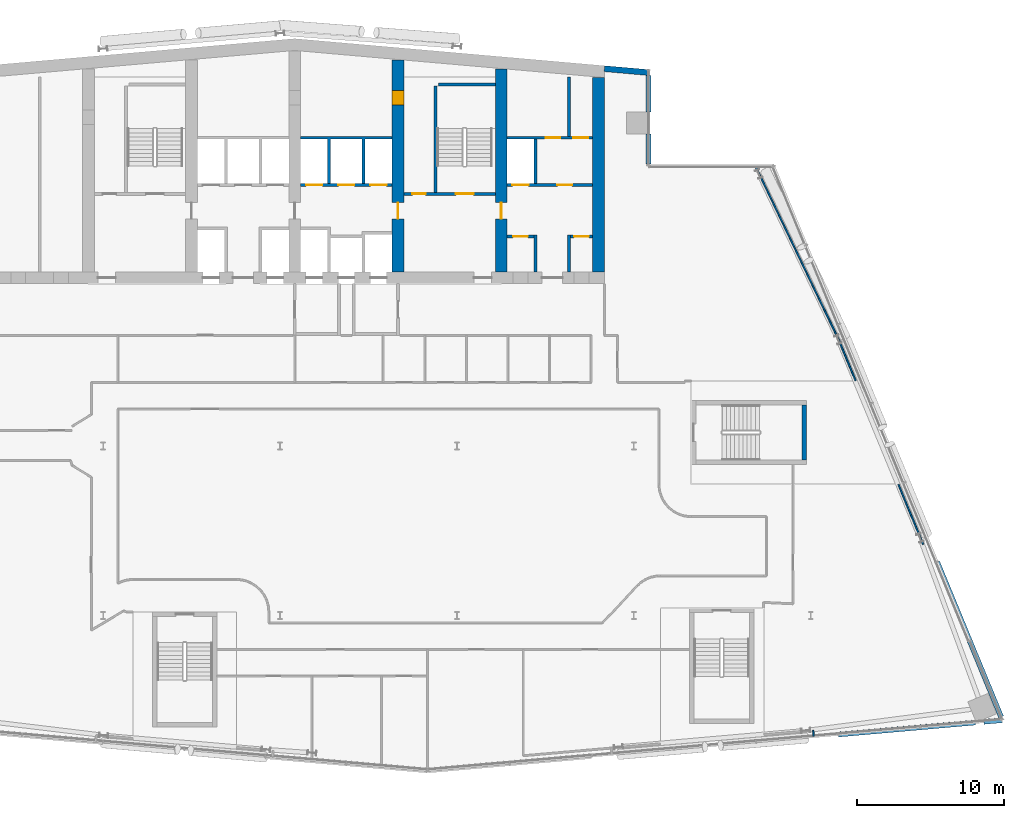
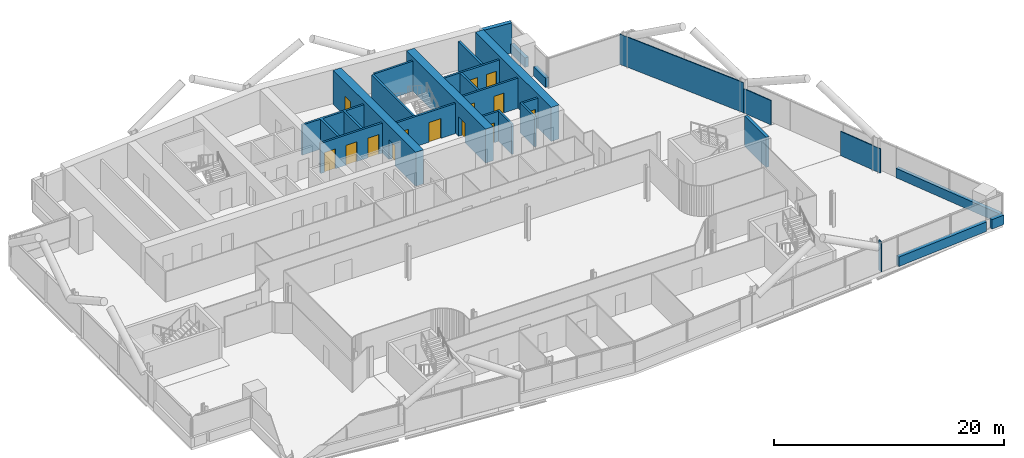
# One storey, part 21 of 29: 27 walls, 14 doors, 14 openings.
"""IFC4 building model written with IfcOpenShell, lengths in metres."""

from ifc_helpers import new_model, si_unit, direction, frame, frame_2d, origin, place, context, subcontext, project, spatial, polyline, rectangle, outline, extrude, material, layer, layer_set, type_object, element, fill, save


model = new_model("IFC4")

# Units and contexts
model_context = context("Model", 3, precision=1e-05, world=origin(), true_north=direction((0.0, 1.0)))
body_context = subcontext(model_context, "Body", "Model", "MODEL_VIEW")
ifc_project = project(units=[si_unit("LENGTHUNIT", "METRE"), si_unit("AREAUNIT", "SQUARE_METRE"), si_unit("VOLUMEUNIT", "CUBIC_METRE"), si_unit("PLANEANGLEUNIT", "RADIAN"), si_unit("MASSUNIT", "GRAM", prefix="KILO")], contexts=[model_context])

# Site, building, storey
site_placement = place(None, origin())
site = spatial("IfcSite", under=ifc_project, at=site_placement, CompositionType="ELEMENT")
building_placement = place(site_placement, origin())
building = spatial("IfcBuilding", under=site, at=building_placement, Name="Wharfspan Tower", CompositionType="ELEMENT")
storey_placement = place(building_placement, frame((0.0, 0.0, 162.699951)))
storey = spatial("IfcBuildingStorey", under=building, at=storey_placement, Name="L39", CompositionType="ELEMENT", Elevation=162.699951)

# Wall, opening, door
ifc_material_1 = material(Name="Calcium silicate masonry", Category="masonry")
ifc_layer_1 = layer(ifc_material_1, 0.199951)
ifc_layer_set_1 = layer_set([ifc_layer_1], Name="Calcium silicate masonry")
wall_type_1 = type_object("IfcWallType", Name="Core room wall 200", PredefinedType="PARTITIONING", material=ifc_layer_set_1)
wall_1_placement = place(storey_placement, frame((51.399902, 37.199951, 0.0), z_axis=(0.0, 0.0, 1.0), x_axis=(1.0, 0.0, 0.0)))
wall_1 = element("IfcWall", 1, at=wall_1_placement, inside=storey, type_object=wall_type_1, Name="sw:L39:FR6.1", PredefinedType="PARTITIONING", context=body_context, shape_type="SweptSolid", body=[
    extrude(rectangle(XDim=1.833496, YDim=0.199951, at=frame_2d((0.916748, 0.0))), origin(), (0.0, 0.0, 1.0), 3.199951),
])
opening_1_placement = place(wall_1_placement, frame((0.416748, 0.0, 0.0)))
opening_1 = element("IfcOpeningElement", 2, at=opening_1_placement, cuts=wall_1, Name="Opening CD39.6H1", PredefinedType="OPENING", context=body_context, shape_type="SweptSolid", body=[
    extrude(rectangle(XDim=1.0, YDim=2.100098, at=frame_2d((0.5, 1.050049))), frame((0.0, 0.109863, 0.0), z_axis=(0.0, -1.0, 0.0), x_axis=(1.0, 0.0, 0.0)), (0.0, 0.0, 1.0), 0.219971),
])
ifc_material_2 = material(Name="Steel door leaf", Category="steel")
door_type_1 = type_object("IfcDoorType", Name="Core room door 1000x2100", OperationType="SINGLE_SWING_LEFT", PredefinedType="DOOR", material=ifc_material_2)
door_1_placement = place(opening_1_placement, origin())
door_1 = element("IfcDoor", 3, at=door_1_placement, inside=storey, type_object=door_type_1, Name="d:L39:6:fh6.1", OperationType="SINGLE_SWING_RIGHT", OverallHeight=2.100098, OverallWidth=1.0, PredefinedType="DOOR", context=body_context, shape_type="SweptSolid", body=[
    extrude(rectangle(XDim=1.0, YDim=2.100098, at=frame_2d((0.5, 1.050049))), frame((0.0, 0.024902, 0.0), z_axis=(0.0, -1.0, 0.0), x_axis=(1.0, 0.0, 0.0)), (0.0, 0.0, 1.0), 0.050049),
])
fill(opening_1, door_1)

wall_2_placement = place(storey_placement, frame((55.699951, 37.199951, 0.0), z_axis=(0.0, 0.0, 1.0), x_axis=(1.0, 0.0, 0.0)))
wall_2 = element("IfcWall", 4, at=wall_2_placement, inside=storey, type_object=wall_type_1, Name="sw:L39:FR6.3", PredefinedType="PARTITIONING", context=body_context, shape_type="SweptSolid", body=[
    extrude(rectangle(XDim=1.5, YDim=0.199951, at=frame_2d((0.75, 0.0))), origin(), (0.0, 0.0, 1.0), 3.199951),
])
opening_2_placement = place(wall_2_placement, frame((0.25, 0.0, 0.0)))
opening_2 = element("IfcOpeningElement", 5, at=opening_2_placement, cuts=wall_2, Name="Opening CD39.6H3", PredefinedType="OPENING", context=body_context, shape_type="SweptSolid", body=[
    extrude(rectangle(XDim=1.0, YDim=2.100098, at=frame_2d((0.5, 1.050049))), frame((0.0, 0.109863, 0.0), z_axis=(0.0, -1.0, 0.0), x_axis=(1.0, 0.0, 0.0)), (0.0, 0.0, 1.0), 0.219971),
])
door_2_placement = place(opening_2_placement, origin())
door_2 = element("IfcDoor", 6, at=door_2_placement, inside=storey, type_object=door_type_1, Name="d:L39:6:fh6.3", OperationType="SINGLE_SWING_RIGHT", OverallHeight=2.100098, OverallWidth=1.0, PredefinedType="DOOR", context=body_context, shape_type="SweptSolid", body=[
    extrude(rectangle(XDim=1.0, YDim=2.100098, at=frame_2d((0.5, 1.050049))), frame((0.0, 0.024902, 0.0), z_axis=(0.0, -1.0, 0.0), x_axis=(1.0, 0.0, 0.0)), (0.0, 0.0, 1.0), 0.050049),
])
fill(opening_2, door_2)

# Wall
wall_3_placement = place(storey_placement, frame((55.600098, 44.0, 0.0), z_axis=(0.0, 0.0, 1.0), x_axis=(0.0, 1.0, 0.0)))
element("IfcWall", 7, at=wall_3_placement, inside=storey, type_object=wall_type_1, Name="sw:L39:RP6.1", PredefinedType="PARTITIONING", context=body_context, shape_type="SweptSolid", body=[
    extrude(rectangle(XDim=4.03418, YDim=0.199951, at=frame_2d((2.01709, 0.0))), origin(), (0.0, 0.0, 1.0), 3.199951),
])

# Wall, openings, doors
ifc_material_3 = material(Name="Concrete C60/75", Category="concrete")
ifc_layer_2 = layer(ifc_material_3, 0.800049)
ifc_layer_set_2 = layer_set([ifc_layer_2], Name="Concrete C60/75")
wall_type_2 = type_object("IfcWallType", Name="Core wall 800 C60/75", PredefinedType="SHEAR", material=ifc_layer_set_2)
wall_4_placement = place(storey_placement, frame((44.0, 34.800049, 0.0), z_axis=(0.0, 0.0, 1.0), x_axis=(0.0, 1.0, 0.0)))
wall_4 = element("IfcWall", 8, at=wall_4_placement, inside=storey, type_object=wall_type_2, Name="Core cross wall X5 L39", PredefinedType="SHEAR", context=body_context, shape_type="SweptSolid", body=[
    extrude(rectangle(XDim=14.374023, YDim=0.800049, at=frame_2d((7.187012, 0.0))), origin(), (0.0, 0.0, 1.0), 3.600098),
])
opening_3_placement = place(wall_4_placement, frame((11.312012, 0.0, 0.0)))
opening_3 = element("IfcOpeningElement", 9, at=opening_3_placement, cuts=wall_4, Name="Opening CD39.4X", PredefinedType="OPENING", context=body_context, shape_type="SweptSolid", body=[
    extrude(rectangle(XDim=1.0, YDim=2.100098, at=frame_2d((0.5, 1.050049))), frame((0.0, 0.409912, 0.0), z_axis=(0.0, -1.0, 0.0), x_axis=(1.0, 0.0, 0.0)), (0.0, 0.0, 1.0), 0.820068),
])
opening_4_placement = place(wall_4_placement, frame((3.600098, 0.0, 0.0)))
opening_4 = element("IfcOpeningElement", 10, at=opening_4_placement, cuts=wall_4, Name="Opening CC39.5", PredefinedType="OPENING", context=body_context, shape_type="SweptSolid", body=[
    extrude(rectangle(XDim=1.100098, YDim=2.100098, at=frame_2d((0.550049, 1.050049))), frame((0.0, 0.409912, 0.0), z_axis=(0.0, -1.0, 0.0), x_axis=(1.0, 0.0, 0.0)), (0.0, 0.0, 1.0), 0.820068),
])
door_type_2 = type_object("IfcDoorType", Name="Core corridor door 1100x2100", OperationType="SINGLE_SWING_LEFT", PredefinedType="DOOR", material=ifc_material_2)
door_3_placement = place(opening_4_placement, origin())
door_3 = element("IfcDoor", 11, at=door_3_placement, inside=storey, type_object=door_type_2, Name="xd:L39:5", OperationType="SINGLE_SWING_LEFT", OverallHeight=2.100098, OverallWidth=1.100098, PredefinedType="DOOR", context=body_context, shape_type="SweptSolid", body=[
    extrude(rectangle(XDim=1.100098, YDim=2.100098, at=frame_2d((0.550049, 1.050049))), frame((0.0, 0.024902, 0.0), z_axis=(0.0, -1.0, 0.0), x_axis=(1.0, 0.0, 0.0)), (0.0, 0.0, 1.0), 0.050049),
])
fill(opening_4, door_3)
door_4_placement = place(opening_3_placement, origin())
door_4 = element("IfcDoor", 12, at=door_4_placement, inside=storey, type_object=door_type_1, Name="d:L39:4:sx", OperationType="SINGLE_SWING_LEFT", OverallHeight=2.100098, OverallWidth=1.0, PredefinedType="DOOR", context=body_context, shape_type="SweptSolid", body=[
    extrude(rectangle(XDim=1.0, YDim=2.100098, at=frame_2d((0.5, 1.050049))), frame((0.0, 0.399902, 0.0), z_axis=(0.0, -1.0, 0.0), x_axis=(1.0, 0.0, 0.0)), (0.0, 0.0, 1.0), 0.799561),
])
fill(opening_3, door_4)

# Wall, opening, door
wall_5_placement = place(storey_placement, frame((51.0, 34.800049, 0.0), z_axis=(0.0, 0.0, 1.0), x_axis=(0.0, 1.0, 0.0)))
wall_5 = element("IfcWall", 13, at=wall_5_placement, inside=storey, type_object=wall_type_2, Name="Core cross wall X6 L39", PredefinedType="SHEAR", context=body_context, shape_type="SweptSolid", body=[
    extrude(rectangle(XDim=13.761719, YDim=0.800049, at=frame_2d((6.880859, 0.0))), origin(), (0.0, 0.0, 1.0), 3.600098),
])
opening_5_placement = place(wall_5_placement, frame((3.600098, 0.0, 0.0)))
opening_5 = element("IfcOpeningElement", 14, at=opening_5_placement, cuts=wall_5, Name="Opening CC39.6", PredefinedType="OPENING", context=body_context, shape_type="SweptSolid", body=[
    extrude(rectangle(XDim=1.100098, YDim=2.100098, at=frame_2d((0.550049, 1.050049))), frame((0.0, 0.409912, 0.0), z_axis=(0.0, -1.0, 0.0), x_axis=(1.0, 0.0, 0.0)), (0.0, 0.0, 1.0), 0.820068),
])
door_5_placement = place(opening_5_placement, origin())
door_5 = element("IfcDoor", 15, at=door_5_placement, inside=storey, type_object=door_type_2, Name="xd:L39:6", OperationType="SINGLE_SWING_RIGHT", OverallHeight=2.100098, OverallWidth=1.100098, PredefinedType="DOOR", context=body_context, shape_type="SweptSolid", body=[
    extrude(rectangle(XDim=1.100098, YDim=2.100098, at=frame_2d((0.550049, 1.050049))), frame((0.0, 0.024902, 0.0), z_axis=(0.0, -1.0, 0.0), x_axis=(1.0, 0.0, 0.0)), (0.0, 0.0, 1.0), 0.050049),
])
fill(opening_5, door_5)

# Wall
wall_6_placement = place(storey_placement, frame((57.600098, 34.800049, 0.0), z_axis=(0.0, 0.0, 1.0), x_axis=(0.0, 1.0, 0.0)))
element("IfcWall", 16, at=wall_6_placement, inside=storey, type_object=wall_type_2, Name="Core cross wall EW1 L39", PredefinedType="SHEAR", context=body_context, shape_type="SweptSolid", body=[
    extrude(rectangle(XDim=13.184326, YDim=0.800049, at=frame_2d((6.592285, 0.0))), origin(), (0.0, 0.0, 1.0), 3.600098),
])

# Wall, openings, doors
ifc_material_4 = material(Name="Concrete C30/37", Category="concrete")
ifc_layer_3 = layer(ifc_material_4, 0.199951)
ifc_layer_set_3 = layer_set([ifc_layer_3], Name="Concrete C30/37")
wall_type_3 = type_object("IfcWallType", Name="Lift shaft wall 200", PredefinedType="PARTITIONING", material=ifc_layer_set_3)
wall_7_placement = place(storey_placement, frame((37.399902, 40.699951, 0.0), z_axis=(0.0, 0.0, 1.0), x_axis=(1.0, 0.0, 0.0)))
wall_7 = element("IfcWall", 17, at=wall_7_placement, inside=storey, type_object=wall_type_3, Name="sw:L39:RF4", PredefinedType="PARTITIONING", context=body_context, shape_type="SweptSolid", body=[
    extrude(rectangle(XDim=6.200195, YDim=0.199951, at=frame_2d((3.100098, 0.0))), origin(), (0.0, 0.0, 1.0), 3.199951),
])
opening_6_placement = place(wall_7_placement, frame((0.366699, 0.0, 0.0)))
opening_6 = element("IfcOpeningElement", 18, at=opening_6_placement, cuts=wall_7, Name="Opening LD.LB4.L39", PredefinedType="OPENING", context=body_context, shape_type="SweptSolid", body=[
    extrude(rectangle(XDim=1.100098, YDim=2.100098, at=frame_2d((0.550049, 1.050049))), frame((0.0, 0.109863, 0.0), z_axis=(0.0, -1.0, 0.0), x_axis=(1.0, 0.0, 0.0)), (0.0, 0.0, 1.0), 0.219971),
])
opening_7_placement = place(wall_7_placement, frame((2.550049, 0.0, 0.0)))
opening_7 = element("IfcOpeningElement", 19, at=opening_7_placement, cuts=wall_7, Name="Opening LD.LB5.L39", PredefinedType="OPENING", context=body_context, shape_type="SweptSolid", body=[
    extrude(rectangle(XDim=1.100098, YDim=2.100098, at=frame_2d((0.550049, 1.050049))), frame((0.0, 0.109863, 0.0), z_axis=(0.0, -1.0, 0.0), x_axis=(1.0, 0.0, 0.0)), (0.0, 0.0, 1.0), 0.219971),
])
opening_8_placement = place(wall_7_placement, frame((4.733398, 0.0, 0.0)))
opening_8 = element("IfcOpeningElement", 20, at=opening_8_placement, cuts=wall_7, Name="Opening LD.LB6.L39", PredefinedType="OPENING", context=body_context, shape_type="SweptSolid", body=[
    extrude(rectangle(XDim=1.100098, YDim=2.100098, at=frame_2d((0.550049, 1.050049))), frame((0.0, 0.109863, 0.0), z_axis=(0.0, -1.0, 0.0), x_axis=(1.0, 0.0, 0.0)), (0.0, 0.0, 1.0), 0.219971),
])
ifc_material_5 = material(Name="Stainless steel", Category="steel")
door_type_3 = type_object("IfcDoorType", Name="Lift landing door 1100x2100", OperationType="DOUBLE_DOOR_SLIDING", PredefinedType="DOOR", material=ifc_material_5)
door_6_placement = place(opening_6_placement, origin())
door_6 = element("IfcDoor", 21, at=door_6_placement, inside=storey, type_object=door_type_3, Name="Landing door LB4 L39", OperationType="DOUBLE_DOOR_SLIDING", OverallHeight=2.100098, OverallWidth=1.100098, PredefinedType="DOOR", context=body_context, shape_type="SweptSolid", body=[
    extrude(rectangle(XDim=1.100098, YDim=2.100098, at=frame_2d((0.550049, 1.050049))), frame((0.0, 0.024902, 0.0), z_axis=(0.0, -1.0, 0.0), x_axis=(1.0, 0.0, 0.0)), (0.0, 0.0, 1.0), 0.050049),
])
fill(opening_6, door_6)
door_7_placement = place(opening_7_placement, origin())
door_7 = element("IfcDoor", 22, at=door_7_placement, inside=storey, type_object=door_type_3, Name="Landing door LB5 L39", OperationType="DOUBLE_DOOR_SLIDING", OverallHeight=2.100098, OverallWidth=1.100098, PredefinedType="DOOR", context=body_context, shape_type="SweptSolid", body=[
    extrude(rectangle(XDim=1.100098, YDim=2.100098, at=frame_2d((0.550049, 1.050049))), frame((0.0, 0.024902, 0.0), z_axis=(0.0, -1.0, 0.0), x_axis=(1.0, 0.0, 0.0)), (0.0, 0.0, 1.0), 0.050049),
])
fill(opening_7, door_7)
door_8_placement = place(opening_8_placement, origin())
door_8 = element("IfcDoor", 23, at=door_8_placement, inside=storey, type_object=door_type_3, Name="Landing door LB6 L39", OperationType="DOUBLE_DOOR_SLIDING", OverallHeight=2.100098, OverallWidth=1.100098, PredefinedType="DOOR", context=body_context, shape_type="SweptSolid", body=[
    extrude(rectangle(XDim=1.100098, YDim=2.100098, at=frame_2d((0.550049, 1.050049))), frame((0.0, 0.024902, 0.0), z_axis=(0.0, -1.0, 0.0), x_axis=(1.0, 0.0, 0.0)), (0.0, 0.0, 1.0), 0.050049),
])
fill(opening_8, door_8)

# Wall
wall_8_placement = place(storey_placement, frame((0.0, 0.0, -0.000244)))
element("IfcWall", 24, at=wall_8_placement, inside=storey, type_object=wall_type_3, Name="sw:L39:RM4.0", PredefinedType="PARTITIONING", context=body_context, shape_type="SweptSolid", body=[
    extrude(outline(polyline([(39.43335, 40.800049), (39.233398, 40.800049), (39.233398, 43.800049), (37.399902, 43.800049), (37.399902, 44.0), (43.600098, 44.0), (43.600098, 43.800049), (41.766602, 43.800049), (41.766602, 40.800049), (41.56665, 40.800049), (41.56665, 43.800049), (39.43335, 43.800049), (39.43335, 40.800049)])), origin(), (0.0, 0.0, 1.0), 3.200195),
])

# Wall, openings, doors
wall_9_placement = place(storey_placement, frame((51.399902, 40.699951, 0.0), z_axis=(0.0, 0.0, 1.0), x_axis=(1.0, 0.0, 0.0)))
wall_9 = element("IfcWall", 25, at=wall_9_placement, inside=storey, type_object=wall_type_3, Name="sw:L39:RF6", PredefinedType="PARTITIONING", context=body_context, shape_type="SweptSolid", body=[
    extrude(rectangle(XDim=5.800049, YDim=0.199951, at=frame_2d((2.899902, 0.0))), origin(), (0.0, 0.0, 1.0), 3.199951),
])
opening_9_placement = place(wall_9_placement, frame((0.366699, 0.0, 0.0)))
opening_9 = element("IfcOpeningElement", 26, at=opening_9_placement, cuts=wall_9, Name="Opening LD.LB8.L39", PredefinedType="OPENING", context=body_context, shape_type="SweptSolid", body=[
    extrude(rectangle(XDim=1.100098, YDim=2.100098, at=frame_2d((0.550049, 1.050049))), frame((0.0, 0.109863, 0.0), z_axis=(0.0, -1.0, 0.0), x_axis=(1.0, 0.0, 0.0)), (0.0, 0.0, 1.0), 0.219971),
])
opening_10_placement = place(wall_9_placement, frame((3.416748, 0.0, 0.0)))
opening_10 = element("IfcOpeningElement", 27, at=opening_10_placement, cuts=wall_9, Name="Opening CD39.6R2", PredefinedType="OPENING", context=body_context, shape_type="SweptSolid", body=[
    extrude(rectangle(XDim=1.0, YDim=2.100098, at=frame_2d((0.5, 1.050049))), frame((0.0, 0.109863, 0.0), z_axis=(0.0, -1.0, 0.0), x_axis=(1.0, 0.0, 0.0)), (0.0, 0.0, 1.0), 0.219971),
])
door_9_placement = place(opening_10_placement, origin())
door_9 = element("IfcDoor", 28, at=door_9_placement, inside=storey, type_object=door_type_1, Name="d:L39:6:rd6.2", OperationType="SINGLE_SWING_RIGHT", OverallHeight=2.100098, OverallWidth=1.0, PredefinedType="DOOR", context=body_context, shape_type="SweptSolid", body=[
    extrude(rectangle(XDim=1.0, YDim=2.100098, at=frame_2d((0.5, 1.050049))), frame((0.0, 0.024902, 0.0), z_axis=(0.0, -1.0, 0.0), x_axis=(1.0, 0.0, 0.0)), (0.0, 0.0, 1.0), 0.050049),
])
fill(opening_10, door_9)
door_10_placement = place(opening_9_placement, origin())
door_10 = element("IfcDoor", 29, at=door_10_placement, inside=storey, type_object=door_type_3, Name="Landing door LB8 L39", OperationType="DOUBLE_DOOR_SLIDING", OverallHeight=2.100098, OverallWidth=1.100098, PredefinedType="DOOR", context=body_context, shape_type="SweptSolid", body=[
    extrude(rectangle(XDim=1.100098, YDim=2.100098, at=frame_2d((0.550049, 1.050049))), frame((0.0, 0.024902, 0.0), z_axis=(0.0, -1.0, 0.0), x_axis=(1.0, 0.0, 0.0)), (0.0, 0.0, 1.0), 0.050049),
])
fill(opening_9, door_10)

wall_10_placement = place(storey_placement, frame((51.399902, 43.899902, 0.0), z_axis=(0.0, 0.0, 1.0), x_axis=(1.0, 0.0, 0.0)))
wall_10 = element("IfcWall", 30, at=wall_10_placement, inside=storey, type_object=wall_type_3, Name="sw:L39:RR6", PredefinedType="PARTITIONING", context=body_context, shape_type="SweptSolid", body=[
    extrude(rectangle(XDim=5.800049, YDim=0.199951, at=frame_2d((2.899902, 0.0))), origin(), (0.0, 0.0, 1.0), 3.199951),
])
opening_11_placement = place(wall_10_placement, frame((2.616699, 0.0, 0.0)))
opening_11 = element("IfcOpeningElement", 31, at=opening_11_placement, cuts=wall_10, Name="Opening CD39.6S2", PredefinedType="OPENING", context=body_context, shape_type="SweptSolid", body=[
    extrude(rectangle(XDim=1.0, YDim=2.100098, at=frame_2d((0.5, 1.050049))), frame((0.0, 0.109863, 0.0), z_axis=(0.0, -1.0, 0.0), x_axis=(1.0, 0.0, 0.0)), (0.0, 0.0, 1.0), 0.219971),
])
opening_12_placement = place(wall_10_placement, frame((4.5, 0.0, 0.0)))
opening_12 = element("IfcOpeningElement", 32, at=opening_12_placement, cuts=wall_10, Name="Opening CD39.6S2a", PredefinedType="OPENING", context=body_context, shape_type="SweptSolid", body=[
    extrude(rectangle(XDim=1.0, YDim=2.100098, at=frame_2d((0.5, 1.050049))), frame((0.0, 0.109863, 0.0), z_axis=(0.0, -1.0, 0.0), x_axis=(1.0, 0.0, 0.0)), (0.0, 0.0, 1.0), 0.219971),
])
door_11_placement = place(opening_11_placement, origin())
door_11 = element("IfcDoor", 33, at=door_11_placement, inside=storey, type_object=door_type_1, Name="d:L39:6:rs6.2", OperationType="SINGLE_SWING_LEFT", OverallHeight=2.100098, OverallWidth=1.0, PredefinedType="DOOR", context=body_context, shape_type="SweptSolid", body=[
    extrude(rectangle(XDim=1.0, YDim=2.100098, at=frame_2d((0.5, 1.050049))), frame((0.0, 0.024902, 0.0), z_axis=(0.0, -1.0, 0.0), x_axis=(1.0, 0.0, 0.0)), (0.0, 0.0, 1.0), 0.050049),
])
fill(opening_11, door_11)
door_12_placement = place(opening_12_placement, origin())
door_12 = element("IfcDoor", 34, at=door_12_placement, inside=storey, type_object=door_type_1, Name="d:L39:6:rs6.2a", OperationType="SINGLE_SWING_LEFT", OverallHeight=2.100098, OverallWidth=1.0, PredefinedType="DOOR", context=body_context, shape_type="SweptSolid", body=[
    extrude(rectangle(XDim=1.0, YDim=2.100098, at=frame_2d((0.5, 1.050049))), frame((0.0, 0.024902, 0.0), z_axis=(0.0, -1.0, 0.0), x_axis=(1.0, 0.0, 0.0)), (0.0, 0.0, 1.0), 0.050049),
])
fill(opening_12, door_12)

# Walls
wall_11_placement = place(storey_placement, frame((0.0, 0.0, -0.000244)))
element("IfcWall", 35, at=wall_11_placement, inside=storey, type_object=wall_type_3, Name="sw:L39:FM6.0", PredefinedType="PARTITIONING", context=body_context, shape_type="SweptSolid", body=[
    extrude(outline(polyline([(53.233398, 34.800049), (53.233398, 37.300049), (53.43335, 37.300049), (53.43335, 34.800049), (53.233398, 34.800049)])), origin(), (0.0, 0.0, 1.0), 3.200195),
])
wall_12_placement = place(storey_placement, frame((0.0, 0.0, -0.000244)))
element("IfcWall", 36, at=wall_12_placement, inside=storey, type_object=wall_type_3, Name="sw:L39:FM6.1", PredefinedType="PARTITIONING", context=body_context, shape_type="SweptSolid", body=[
    extrude(outline(polyline([(55.5, 34.800049), (55.5, 37.300049), (55.699951, 37.300049), (55.699951, 34.800049), (55.5, 34.800049)])), origin(), (0.0, 0.0, 1.0), 3.200195),
])
wall_13_placement = place(storey_placement, frame((0.0, 0.0, -0.000244)))
element("IfcWall", 37, at=wall_13_placement, inside=storey, type_object=wall_type_3, Name="sw:L39:RM6.0", PredefinedType="PARTITIONING", context=body_context, shape_type="SweptSolid", body=[
    extrude(outline(polyline([(53.43335, 40.800049), (53.43335, 43.800049), (53.233398, 43.800049), (53.233398, 40.800049), (53.43335, 40.800049)])), origin(), (0.0, 0.0, 1.0), 3.200195),
])
ifc_material_6 = material(Name="Gypsum board on steel studs", Category="steel")
ifc_layer_4 = layer(ifc_material_6, 0.100098)
ifc_layer_set_4 = layer_set([ifc_layer_4], Name="Gypsum board on steel studs")
wall_type_4 = type_object("IfcWallType", Name="Partition 100", PredefinedType="PARTITIONING", material=ifc_layer_set_4)
wall_14_placement = place(storey_placement, frame((72.198242, 3.300049, 0.0), z_axis=(0.0, 0.0, 1.0), x_axis=(-0.083759, 0.996486, 0.0)))
element("IfcWall", 38, at=wall_14_placement, inside=storey, type_object=wall_type_4, Name="Partition L39.w103", PredefinedType="PARTITIONING", context=body_context, shape_type="SweptSolid", body=[
    extrude(rectangle(XDim=0.396484, YDim=0.100098, at=frame_2d((0.198242, 0.0))), origin(), (0.0, 0.0, 1.0), 3.199951),
])
wall_15_placement = place(storey_placement, frame((73.88501, 30.22998, 0.0), z_axis=(0.0, 0.0, 1.0), x_axis=(-0.432167, 0.90179, 0.0)))
element("IfcWall", 39, at=wall_15_placement, inside=storey, type_object=wall_type_4, Name="Partition L39.w104", PredefinedType="PARTITIONING", context=body_context, shape_type="SweptSolid", body=[
    extrude(rectangle(XDim=13.036133, YDim=0.100098, at=frame_2d((6.518066, 0.0))), origin(), (0.0, 0.0, 1.0), 3.199951),
])
wall_16_placement = place(storey_placement, frame((75.046631, 27.419922, 0.0), z_axis=(0.0, 0.0, 1.0), x_axis=(-0.382024, 0.924148, 0.0)))
element("IfcWall", 40, at=wall_16_placement, inside=storey, type_object=wall_type_4, Name="Partition L39.w105", PredefinedType="PARTITIONING", context=body_context, shape_type="SweptSolid", body=[
    extrude(rectangle(XDim=3.040771, YDim=0.100098, at=frame_2d((1.520508, 0.0))), origin(), (0.0, 0.0, 1.0), 2.580078),
])
wall_17_placement = place(storey_placement, frame((79.629883, 16.310059, 0.0), z_axis=(0.0, 0.0, 1.0), x_axis=(-0.380933, 0.9246, 0.0)))
element("IfcWall", 41, at=wall_17_placement, inside=storey, type_object=wall_type_4, Name="Partition L39.w106", PredefinedType="PARTITIONING", context=body_context, shape_type="SweptSolid", body=[
    extrude(rectangle(XDim=4.401611, YDim=0.100098, at=frame_2d((2.200684, 0.0))), origin(), (0.0, 0.0, 1.0), 2.580078),
])
ifc_material_7 = material(Name="Concrete C40/50", Category="concrete")
ifc_layer_5 = layer(ifc_material_7, 0.350098)
ifc_layer_set_5 = layer_set([ifc_layer_5], Name="Concrete C40/50")
wall_type_5 = type_object("IfcWallType", Name="SPANDREL EXPOSED CONCRETE 350", PredefinedType="SOLIDWALL", material=ifc_layer_set_5)
wall_18_placement = place(storey_placement, frame((73.887451, 3.422852, 0.0), z_axis=(0.0, 0.0, 1.0), x_axis=(0.996197, 0.087145, 0.0)))
element("IfcWall", 42, at=wall_18_placement, inside=storey, type_object=wall_type_5, Name="Spandrel upstand L39 S2 2", PredefinedType="SOLIDWALL", context=body_context, shape_type="SweptSolid", body=[
    extrude(rectangle(XDim=9.323486, YDim=0.350098, at=frame_2d((4.661621, 0.0))), origin(), (0.0, 0.0, 1.0), 1.0),
])
wall_19_placement = place(storey_placement, frame((83.744629, 4.285156, 0.0), z_axis=(0.0, 0.0, 1.0), x_axis=(0.996198, 0.087148, 0.0)))
element("IfcWall", 43, at=wall_19_placement, inside=storey, type_object=wall_type_5, Name="Spandrel upstand L39 S2 3", PredefinedType="SOLIDWALL", context=body_context, shape_type="SweptSolid", body=[
    extrude(rectangle(XDim=1.260742, YDim=0.350098, at=frame_2d((0.630371, 0.0))), origin(), (0.0, 0.0, 1.0), 1.0),
])
wall_20_placement = place(storey_placement, frame((84.91626, 4.615967, 0.0), z_axis=(0.0, 0.0, 1.0), x_axis=(-0.381598, 0.924328, 0.0)))
element("IfcWall", 44, at=wall_20_placement, inside=storey, type_object=wall_type_5, Name="Spandrel upstand L39 E", PredefinedType="SOLIDWALL", context=body_context, shape_type="SweptSolid", body=[
    extrude(rectangle(XDim=11.360596, YDim=0.350098, at=frame_2d((5.680176, 0.0))), origin(), (0.0, 0.0, 1.0), 1.0),
])
wall_21_placement = place(storey_placement, frame((61.004883, 42.120117, 0.0), z_axis=(0.0, 0.0, 1.0), x_axis=(0.0, 1.0, 0.0)))
element("IfcWall", 45, at=wall_21_placement, inside=storey, type_object=wall_type_5, Name="Spandrel upstand L39 NRE-V", PredefinedType="SOLIDWALL", context=body_context, shape_type="SweptSolid", body=[
    extrude(rectangle(XDim=2.029785, YDim=0.350098, at=frame_2d((1.014893, 0.0))), origin(), (0.0, 0.0, 1.0), 1.0),
])
wall_22_placement = place(storey_placement, frame((61.004883, 45.649902, 0.0), z_axis=(0.0, 0.0, 1.0), x_axis=(0.0, 1.0, 0.0)))
element("IfcWall", 46, at=wall_22_placement, inside=storey, type_object=wall_type_5, Name="Spandrel upstand L39 NRE-V 2", PredefinedType="SOLIDWALL", context=body_context, shape_type="SweptSolid", body=[
    extrude(rectangle(XDim=2.476562, YDim=0.350098, at=frame_2d((1.238281, 0.0))), origin(), (0.0, 0.0, 1.0), 1.0),
])
ifc_layer_6 = layer(ifc_material_7, 0.300049)
ifc_layer_set_6 = layer_set([ifc_layer_6], Name="Concrete C40/50")
wall_type_6 = type_object("IfcWallType", Name="Stair core wall 300", PredefinedType="SHEAR", material=ifc_layer_set_6)
wall_23_placement = place(storey_placement, frame((71.554688, 22.024902, 0.0), z_axis=(0.0, 0.0, 1.0), x_axis=(0.0, 1.0, 0.0)))
element("IfcWall", 47, at=wall_23_placement, inside=storey, type_object=wall_type_6, Name="ST6 stair enclosure wall L39", PredefinedType="SHEAR", context=body_context, shape_type="SweptSolid", body=[
    extrude(rectangle(XDim=3.75, YDim=0.300049, at=frame_2d((1.875, 0.0))), origin(), (0.0, 0.0, 1.0), 3.199951),
])

# Wall, openings, doors
ifc_layer_7 = layer(ifc_material_7, 0.199951)
ifc_layer_set_7 = layer_set([ifc_layer_7], Name="Concrete C40/50")
wall_type_7 = type_object("IfcWallType", Name="Stair shaft wall 200", PredefinedType="SHEAR", material=ifc_layer_set_7)
wall_24_placement = place(storey_placement, frame((44.399902, 40.100098, 0.0), z_axis=(0.0, 0.0, 1.0), x_axis=(1.0, 0.0, 0.0)))
wall_24 = element("IfcWall", 48, at=wall_24_placement, inside=storey, type_object=wall_type_7, Name="ST2 stair enclosure wall L39", PredefinedType="SHEAR", context=body_context, shape_type="SweptSolid", body=[
    extrude(rectangle(XDim=6.200195, YDim=0.199951, at=frame_2d((3.100098, 0.0))), origin(), (0.0, 0.0, 1.0), 3.199951),
])
opening_13_placement = place(wall_24_placement, frame((3.524902, 0.0, 0.0)))
opening_13 = element("IfcOpeningElement", 49, at=opening_13_placement, cuts=wall_24, Name="Opening SD5.L39", PredefinedType="OPENING", context=body_context, shape_type="SweptSolid", body=[
    extrude(rectangle(XDim=1.199951, YDim=2.100098, at=frame_2d((0.600098, 1.050049))), frame((0.0, 0.109863, 0.0), z_axis=(0.0, -1.0, 0.0), x_axis=(1.0, 0.0, 0.0)), (0.0, 0.0, 1.0), 0.219971),
])
opening_14_placement = place(wall_24_placement, frame((0.574951, 0.0, 0.0)))
opening_14 = element("IfcOpeningElement", 50, at=opening_14_placement, cuts=wall_24, Name="Opening CD39.5R", PredefinedType="OPENING", context=body_context, shape_type="SweptSolid", body=[
    extrude(rectangle(XDim=0.899902, YDim=2.100098, at=frame_2d((0.449951, 1.050049))), frame((0.0, 0.109863, 0.0), z_axis=(0.0, -1.0, 0.0), x_axis=(1.0, 0.0, 0.0)), (0.0, 0.0, 1.0), 0.219971),
])
door_13_placement = place(opening_14_placement, origin())
door_13 = element("IfcDoor", 51, at=door_13_placement, inside=storey, type_object=door_type_1, Name="rk:L39:5", OperationType="SINGLE_SWING_LEFT", OverallHeight=2.100098, OverallWidth=0.899902, PredefinedType="DOOR", context=body_context, shape_type="SweptSolid", body=[
    extrude(rectangle(XDim=0.899902, YDim=2.100098, at=frame_2d((0.449951, 1.050049))), frame((0.0, 0.024902, 0.0), z_axis=(0.0, -1.0, 0.0), x_axis=(1.0, 0.0, 0.0)), (0.0, 0.0, 1.0), 0.050049),
])
fill(opening_14, door_13)
door_type_4 = type_object("IfcDoorType", Name="Stair door 1200x2100", OperationType="SINGLE_SWING_LEFT", PredefinedType="DOOR", material=ifc_material_2)
door_14_placement = place(opening_13_placement, origin())
door_14 = element("IfcDoor", 52, at=door_14_placement, inside=storey, type_object=door_type_4, Name="sd:L39:5", OperationType="SINGLE_SWING_RIGHT", OverallHeight=2.100098, OverallWidth=1.199951, PredefinedType="DOOR", context=body_context, shape_type="SweptSolid", body=[
    extrude(rectangle(XDim=1.199951, YDim=2.100098, at=frame_2d((0.600098, 1.050049))), frame((0.0, 0.024902, 0.0), z_axis=(0.0, -1.0, 0.0), x_axis=(1.0, 0.0, 0.0)), (0.0, 0.0, 1.0), 0.050049),
])
fill(opening_13, door_14)

# Walls
wall_25_placement = place(storey_placement, frame((46.550049, 40.199951, 0.0), z_axis=(0.0, 0.0, 1.0), x_axis=(0.0, 1.0, 0.0)))
element("IfcWall", 53, at=wall_25_placement, inside=storey, type_object=wall_type_7, Name="ST2 stair enclosure wall L39", PredefinedType="SHEAR", context=body_context, shape_type="SweptSolid", body=[
    extrude(rectangle(XDim=7.199951, YDim=0.199951, at=frame_2d((3.600098, 0.0))), origin(), (0.0, 0.0, 1.0), 3.199951),
])
wall_26_placement = place(storey_placement, frame((46.75, 47.5, 0.0), z_axis=(0.0, 0.0, 1.0), x_axis=(1.0, 0.0, 0.0)))
element("IfcWall", 54, at=wall_26_placement, inside=storey, type_object=wall_type_7, Name="ST2 stair enclosure wall L39", PredefinedType="SHEAR", context=body_context, shape_type="SweptSolid", body=[
    extrude(rectangle(XDim=3.850098, YDim=0.199951, at=frame_2d((1.925049, 0.0))), origin(), (0.0, 0.0, 1.0), 3.199951),
])
ifc_layer_8 = layer(ifc_material_7, 0.399902)
ifc_layer_set_8 = layer_set([ifc_layer_8], Name="Concrete C40/50")
wall_type_8 = type_object("IfcWallType", Name="WALL EXPOSED CONCRETE 400", PredefinedType="SOLIDWALL", material=ifc_layer_set_8)
wall_27_placement = place(storey_placement, frame((60.982666, 48.325684, 0.0), z_axis=(0.0, 0.0, 1.0), x_axis=(-0.996194, 0.087168, 0.0)))
element("IfcWall", 55, at=wall_27_placement, inside=storey, type_object=wall_type_8, Name="Rear wall N2", PredefinedType="SOLIDWALL", context=body_context, shape_type="SweptSolid", body=[
    extrude(rectangle(XDim=2.994141, YDim=0.399902, at=frame_2d((1.49707, 0.0))), origin(), (0.0, 0.0, 1.0), 3.199951),
])

save(model, "model.ifc")
